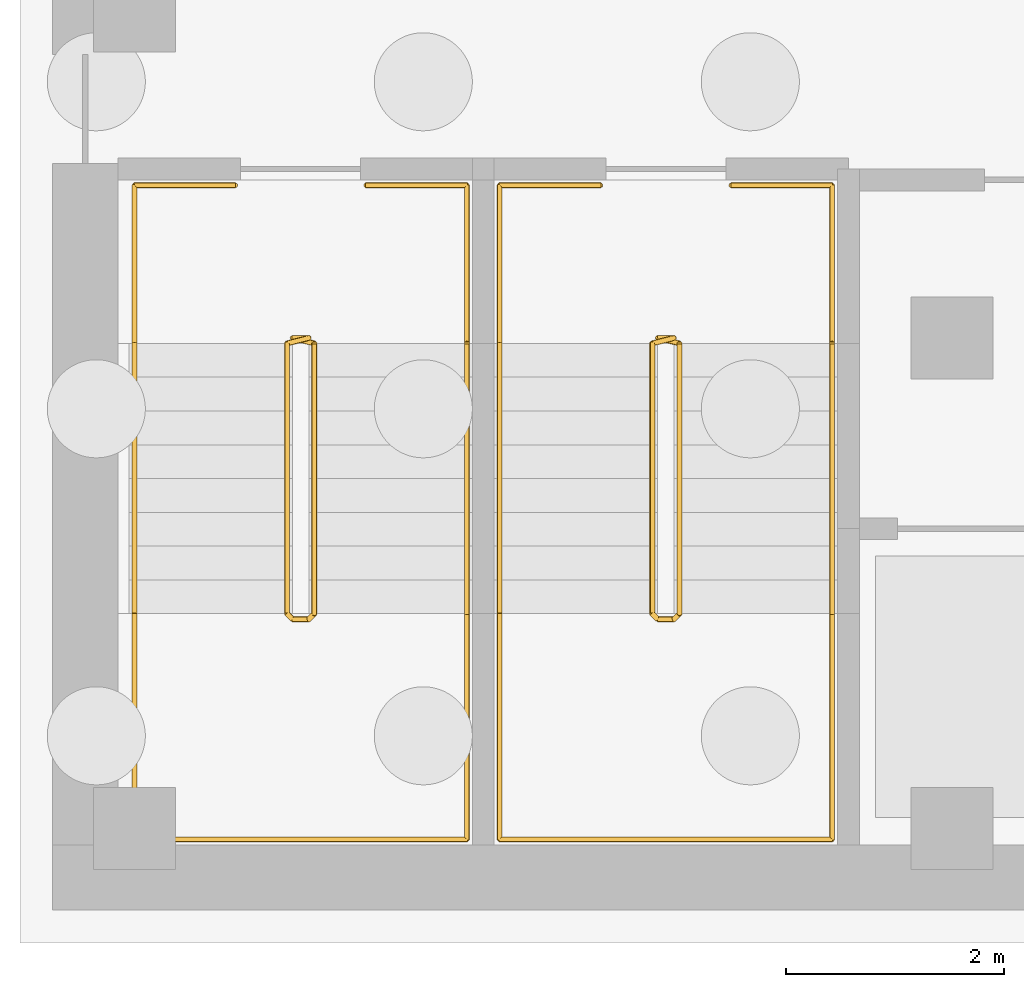
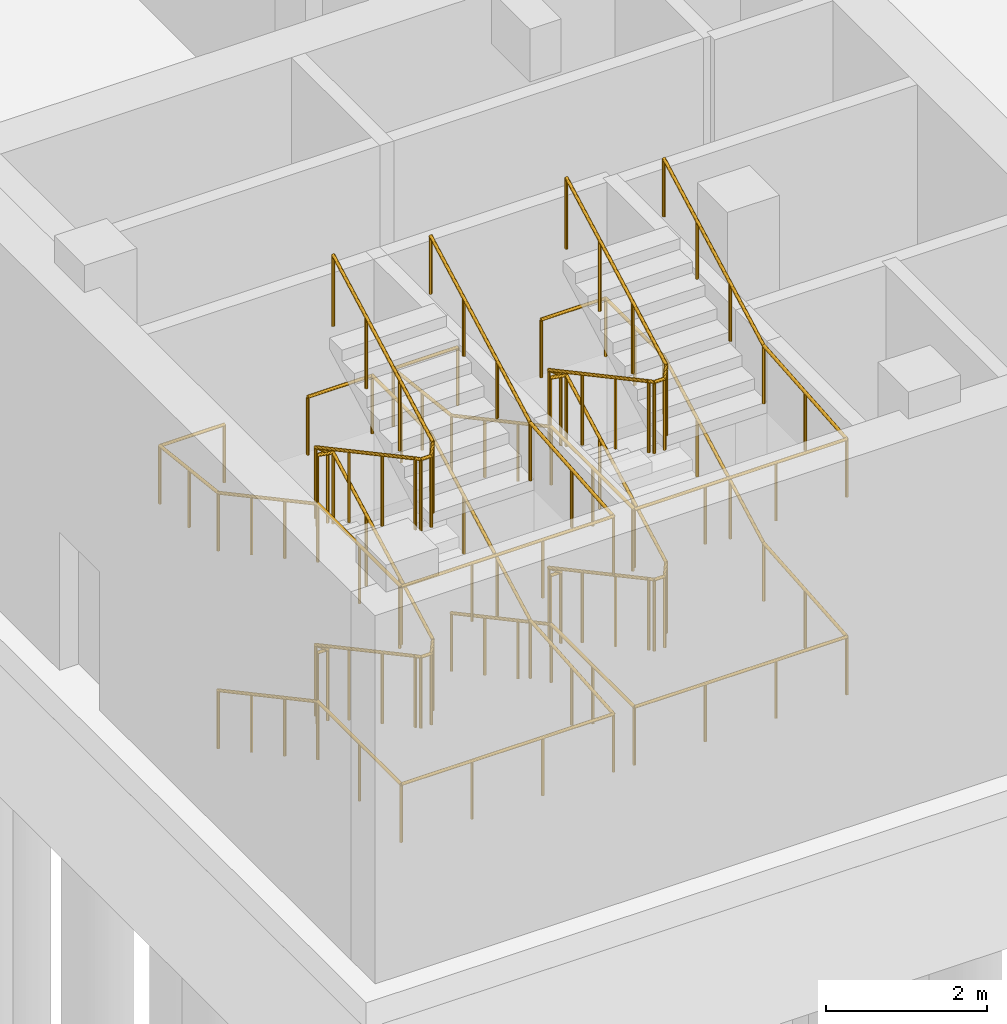
# One storey, part 18 of 26: 6 railings.
"""IFC4 building model written with IfcOpenShell, lengths in metres."""

from ifc_helpers import new_model, si_unit, direction, frame, origin, origin_2d, place, context, subcontext, project, spatial, circle, extrude, material, type_object, element, save


model = new_model("IFC4")

# Units and contexts
model_context = context("Model", 3, precision=1e-05, world=origin(), true_north=direction((0.0, 1.0)))
body_context = subcontext(model_context, "Body", "Model", "MODEL_VIEW")
ifc_project = project(units=[si_unit("LENGTHUNIT", "METRE"), si_unit("AREAUNIT", "SQUARE_METRE"), si_unit("VOLUMEUNIT", "CUBIC_METRE"), si_unit("PLANEANGLEUNIT", "RADIAN"), si_unit("MASSUNIT", "GRAM", prefix="KILO")], contexts=[model_context])

# Site, building, storey
site_placement = place(None, origin())
site = spatial("IfcSite", under=ifc_project, at=site_placement, CompositionType="ELEMENT")
building_placement = place(site_placement, origin())
building = spatial("IfcBuilding", under=site, at=building_placement, Name="Tessera Arch", CompositionType="ELEMENT")
storey_placement = place(building_placement, frame((0.0, 0.0, -6.0)))
storey = spatial("IfcBuildingStorey", under=building, at=storey_placement, Name="B1", CompositionType="ELEMENT", Elevation=-6.0)

# Railings
ifc_material_1 = material(Name="Painted steel balustrade", Category="steel")
railing_type_1 = type_object("IfcRailingType", Name="Stair guard 1100", PredefinedType="GUARDRAIL", material=ifc_material_1)
railing_1_placement = place(storey_placement, frame((-30.35009765625, -27.300048828125, 0.0)))
element("IfcRailing", 1, at=railing_1_placement, inside=storey, type_object=railing_type_1, Name="B1 M2a stair guard 1", PredefinedType="GUARDRAIL", context=body_context, shape_type="SweptSolid", body=[
    extrude(circle(Radius=0.02392578125, at=origin_2d()), frame((-0.00390625, 0.0, 1.076171875), z_axis=(1.0, 0.0, 0.0), x_axis=(0.0, 1.0, 0.0)), (0.0, 0.0, 1.0), 0.158203125),
    extrude(circle(Radius=0.02392578125, at=origin_2d()), frame((0.153076171875, 0.000732421875, 1.073486328125), z_axis=(-0.754182335027, -0.188775798145, 0.628945707965), x_axis=(0.242814311512, -0.970072785993, 0.0)), (0.0, 0.0, 1.0), 0.273193359375),
    extrude(circle(Radius=0.02392578125, at=origin_2d()), frame((-0.0498046875, -0.046630859375, 1.240966796875), z_axis=(0.0, -0.880785522881, 0.473515430248), x_axis=(1.0, 0.0, 0.0)), (0.0, 0.0, 1.0), 2.82373046875),
    extrude(circle(Radius=0.02392578125, at=origin_2d()), frame((-0.052734375, -2.527099609375, 2.576171875), z_axis=(0.707106781187, -0.707106781187, 0.0), x_axis=(0.707106781187, 0.707106781187, 0.0)), (0.0, 0.0, 1.0), 0.078369140625),
    extrude(circle(Radius=0.02392578125, at=origin_2d()), frame((-0.00390625, -2.579833984375, 2.576171875), z_axis=(1.0, 0.0, 0.0), x_axis=(0.0, 1.0, 0.0)), (0.0, 0.0, 1.0), 0.158203125),
    extrude(circle(Radius=0.02392578125, at=origin_2d()), frame((0.14892578125, -2.5810546875, 2.572265625), z_axis=(0.276389281352, 0.275041040955, 0.920848191041), x_axis=(-0.705375805398, 0.708833529934, 0.0)), (0.0, 0.0, 1.0), 0.18896484375),
    extrude(circle(Radius=0.02392578125, at=origin_2d()), frame((0.2001953125, -2.533447265625, 2.740966796875), z_axis=(0.0, 0.880785522881, 0.473515430248), x_axis=(-1.0, 0.0, 0.0)), (0.0, 0.0, 1.0), 2.82373046875),
    extrude(circle(Radius=0.02392578125, at=origin_2d()), frame((0.2041015625, -0.051025390625, 4.076171875), z_axis=(-0.970142500145, 0.242535625036, 0.0), x_axis=(-0.242535625036, -0.970142500145, 0.0)), (0.0, 0.0, 1.0), 0.21435546875),
    extrude(circle(Radius=0.02392578125, at=origin_2d()), frame((-0.00390625, 0.0, 4.076171875), z_axis=(1.0, 0.0, 0.0), x_axis=(0.0, 1.0, 0.0)), (0.0, 0.0, 1.0), 0.158203125),
    extrude(circle(Radius=0.02392578125, at=origin_2d()), frame((0.153076171875, 0.000732421875, 4.073486328125), z_axis=(-0.754182335027, -0.188775798145, 0.628945707965), x_axis=(0.242814311512, -0.970072785993, 0.0)), (0.0, 0.0, 1.0), 0.273193359375),
    extrude(circle(Radius=0.02392578125, at=origin_2d()), frame((-0.0498046875, -0.046630859375, 4.240966796875), z_axis=(0.0, -0.880785522881, 0.473515430248), x_axis=(1.0, 0.0, 0.0)), (0.0, 0.0, 1.0), 2.82373046875),
    extrude(circle(Radius=0.02392578125, at=origin_2d()), frame((-0.052734375, -2.527099609375, 5.576171875), z_axis=(0.707106781187, -0.707106781187, 0.0), x_axis=(0.707106781187, 0.707106781187, 0.0)), (0.0, 0.0, 1.0), 0.078369140625),
    extrude(circle(Radius=0.02392578125, at=origin_2d()), frame((-0.00390625, -2.579833984375, 5.576171875), z_axis=(1.0, 0.0, 0.0), x_axis=(0.0, 1.0, 0.0)), (0.0, 0.0, 1.0), 0.158203125),
    extrude(circle(Radius=0.02392578125, at=origin_2d()), frame((0.14892578125, -2.5810546875, 5.572265625), z_axis=(0.276389281352, 0.275041040955, 0.920848191041), x_axis=(-0.705375805398, 0.708833529934, 0.0)), (0.0, 0.0, 1.0), 0.18896484375),
    extrude(circle(Radius=0.02392578125, at=origin_2d()), frame((0.2001953125, -2.533447265625, 5.740966796875), z_axis=(0.0, 0.880785522881, 0.473515430248), x_axis=(-1.0, 0.0, 0.0)), (0.0, 0.0, 1.0), 2.82373046875),
    extrude(circle(Radius=0.02099609375, at=origin_2d()), origin(), (0.0, 0.0, 1.0), 1.06396484375),
    extrude(circle(Radius=0.02099609375, at=origin_2d()), frame((0.150146484375, 0.0, 0.0)), (0.0, 0.0, 1.0), 1.06396484375),
    extrude(circle(Radius=0.02099609375, at=origin_2d()), frame((-0.0498046875, -0.050048828125, 0.166748046875)), (0.0, 0.0, 1.0), 1.06396484375),
    extrude(circle(Radius=0.02099609375, at=origin_2d()), frame((-0.0498046875, -0.876708984375, 0.611083984375)), (0.0, 0.0, 1.0), 1.06396484375),
    extrude(circle(Radius=0.02099609375, at=origin_2d()), frame((-0.0498046875, -1.703369140625, 1.0556640625)), (0.0, 0.0, 1.0), 1.06396484375),
    extrude(circle(Radius=0.02099609375, at=origin_2d()), frame((-0.0498046875, -2.530029296875, 1.5)), (0.0, 0.0, 1.0), 1.06396484375),
    extrude(circle(Radius=0.02099609375, at=origin_2d()), frame((0.0, -2.579833984375, 1.5)), (0.0, 0.0, 1.0), 1.06396484375),
    extrude(circle(Radius=0.02099609375, at=origin_2d()), frame((0.150146484375, -2.579833984375, 1.5)), (0.0, 0.0, 1.0), 1.06396484375),
    extrude(circle(Radius=0.02099609375, at=origin_2d()), frame((0.2001953125, -2.530029296875, 1.666748046875)), (0.0, 0.0, 1.0), 1.06396484375),
    extrude(circle(Radius=0.02099609375, at=origin_2d()), frame((0.2001953125, -1.703369140625, 2.111083984375)), (0.0, 0.0, 1.0), 1.06396484375),
    extrude(circle(Radius=0.02099609375, at=origin_2d()), frame((0.2001953125, -0.876708984375, 2.5556640625)), (0.0, 0.0, 1.0), 1.06396484375),
    extrude(circle(Radius=0.02099609375, at=origin_2d()), frame((0.2001953125, -0.050048828125, 3.0)), (0.0, 0.0, 1.0), 1.06396484375),
    extrude(circle(Radius=0.02099609375, at=origin_2d()), frame((0.0, 0.0, 3.0)), (0.0, 0.0, 1.0), 1.06396484375),
    extrude(circle(Radius=0.02099609375, at=origin_2d()), frame((0.150146484375, 0.0, 3.0)), (0.0, 0.0, 1.0), 1.06396484375),
    extrude(circle(Radius=0.02099609375, at=origin_2d()), frame((-0.0498046875, -0.050048828125, 3.166748046875)), (0.0, 0.0, 1.0), 1.06396484375),
    extrude(circle(Radius=0.02099609375, at=origin_2d()), frame((-0.0498046875, -0.876708984375, 3.611083984375)), (0.0, 0.0, 1.0), 1.06396484375),
    extrude(circle(Radius=0.02099609375, at=origin_2d()), frame((-0.0498046875, -1.703369140625, 4.0556640625)), (0.0, 0.0, 1.0), 1.06396484375),
    extrude(circle(Radius=0.02099609375, at=origin_2d()), frame((-0.0498046875, -2.530029296875, 4.5)), (0.0, 0.0, 1.0), 1.06396484375),
    extrude(circle(Radius=0.02099609375, at=origin_2d()), frame((0.0, -2.579833984375, 4.5)), (0.0, 0.0, 1.0), 1.06396484375),
    extrude(circle(Radius=0.02099609375, at=origin_2d()), frame((0.150146484375, -2.579833984375, 4.5)), (0.0, 0.0, 1.0), 1.06396484375),
    extrude(circle(Radius=0.02099609375, at=origin_2d()), frame((0.2001953125, -2.530029296875, 4.666748046875)), (0.0, 0.0, 1.0), 1.06396484375),
    extrude(circle(Radius=0.02099609375, at=origin_2d()), frame((0.2001953125, -1.703369140625, 5.111083984375)), (0.0, 0.0, 1.0), 1.06396484375),
    extrude(circle(Radius=0.02099609375, at=origin_2d()), frame((0.2001953125, -0.876708984375, 5.5556640625)), (0.0, 0.0, 1.0), 1.06396484375),
    extrude(circle(Radius=0.02099609375, at=origin_2d()), frame((0.2001953125, -0.050048828125, 6.0)), (0.0, 0.0, 1.0), 1.06396484375),
])
railing_2_placement = place(storey_placement, frame((-27.0, -27.300048828125, 0.0)))
element("IfcRailing", 2, at=railing_2_placement, inside=storey, type_object=railing_type_1, Name="B1 M2b stair guard 1", PredefinedType="GUARDRAIL", context=body_context, shape_type="SweptSolid", body=[
    extrude(circle(Radius=0.02392578125, at=origin_2d()), frame((-0.00390625, 0.0, 1.076171875), z_axis=(1.0, 0.0, 0.0), x_axis=(0.0, 1.0, 0.0)), (0.0, 0.0, 1.0), 0.157958984375),
    extrude(circle(Radius=0.02392578125, at=origin_2d()), frame((0.15283203125, 0.000732421875, 1.073486328125), z_axis=(-0.754182335027, -0.188775798145, 0.628945707965), x_axis=(0.242814311512, -0.970072785993, 0.0)), (0.0, 0.0, 1.0), 0.273193359375),
    extrude(circle(Radius=0.02392578125, at=origin_2d()), frame((-0.050048828125, -0.046630859375, 1.240966796875), z_axis=(0.0, -0.880785522881, 0.473515430248), x_axis=(1.0, 0.0, 0.0)), (0.0, 0.0, 1.0), 2.82373046875),
    extrude(circle(Radius=0.02392578125, at=origin_2d()), frame((-0.052978515625, -2.527099609375, 2.576171875), z_axis=(0.708833529934, -0.705375805398, 0.0), x_axis=(0.705375805398, 0.708833529934, 0.0)), (0.0, 0.0, 1.0), 0.07861328125),
    extrude(circle(Radius=0.02392578125, at=origin_2d()), frame((-0.00390625, -2.579833984375, 2.576171875), z_axis=(1.0, 0.0, 0.0), x_axis=(0.0, 1.0, 0.0)), (0.0, 0.0, 1.0), 0.157958984375),
    extrude(circle(Radius=0.02392578125, at=origin_2d()), frame((0.148681640625, -2.5810546875, 2.572265625), z_axis=(0.276389281352, 0.275041040955, 0.920848191041), x_axis=(-0.705375805398, 0.708833529934, 0.0)), (0.0, 0.0, 1.0), 0.18896484375),
    extrude(circle(Radius=0.02392578125, at=origin_2d()), frame((0.199951171875, -2.533447265625, 2.740966796875), z_axis=(0.0, 0.880785522881, 0.473515430248), x_axis=(-1.0, 0.0, 0.0)), (0.0, 0.0, 1.0), 2.82373046875),
    extrude(circle(Radius=0.02392578125, at=origin_2d()), frame((0.203857421875, -0.051025390625, 4.076171875), z_axis=(-0.970072785993, 0.242814311512, 0.0), x_axis=(-0.242814311512, -0.970072785993, 0.0)), (0.0, 0.0, 1.0), 0.214111328125),
    extrude(circle(Radius=0.02392578125, at=origin_2d()), frame((-0.00390625, 0.0, 4.076171875), z_axis=(1.0, 0.0, 0.0), x_axis=(0.0, 1.0, 0.0)), (0.0, 0.0, 1.0), 0.157958984375),
    extrude(circle(Radius=0.02392578125, at=origin_2d()), frame((0.15283203125, 0.000732421875, 4.073486328125), z_axis=(-0.754182335027, -0.188775798145, 0.628945707965), x_axis=(0.242814311512, -0.970072785993, 0.0)), (0.0, 0.0, 1.0), 0.273193359375),
    extrude(circle(Radius=0.02392578125, at=origin_2d()), frame((-0.050048828125, -0.046630859375, 4.240966796875), z_axis=(0.0, -0.880785522881, 0.473515430248), x_axis=(1.0, 0.0, 0.0)), (0.0, 0.0, 1.0), 2.82373046875),
    extrude(circle(Radius=0.02392578125, at=origin_2d()), frame((-0.052978515625, -2.527099609375, 5.576171875), z_axis=(0.708833529934, -0.705375805398, 0.0), x_axis=(0.705375805398, 0.708833529934, 0.0)), (0.0, 0.0, 1.0), 0.07861328125),
    extrude(circle(Radius=0.02392578125, at=origin_2d()), frame((-0.00390625, -2.579833984375, 5.576171875), z_axis=(1.0, 0.0, 0.0), x_axis=(0.0, 1.0, 0.0)), (0.0, 0.0, 1.0), 0.157958984375),
    extrude(circle(Radius=0.02392578125, at=origin_2d()), frame((0.148681640625, -2.5810546875, 5.572265625), z_axis=(0.276389281352, 0.275041040955, 0.920848191041), x_axis=(-0.705375805398, 0.708833529934, 0.0)), (0.0, 0.0, 1.0), 0.18896484375),
    extrude(circle(Radius=0.02392578125, at=origin_2d()), frame((0.199951171875, -2.533447265625, 5.740966796875), z_axis=(0.0, 0.880785522881, 0.473515430248), x_axis=(-1.0, 0.0, 0.0)), (0.0, 0.0, 1.0), 2.82373046875),
    extrude(circle(Radius=0.02099609375, at=origin_2d()), origin(), (0.0, 0.0, 1.0), 1.06396484375),
    extrude(circle(Radius=0.02099609375, at=origin_2d()), frame((0.14990234375, 0.0, 0.0)), (0.0, 0.0, 1.0), 1.06396484375),
    extrude(circle(Radius=0.02099609375, at=origin_2d()), frame((-0.050048828125, -0.050048828125, 0.166748046875)), (0.0, 0.0, 1.0), 1.06396484375),
    extrude(circle(Radius=0.02099609375, at=origin_2d()), frame((-0.050048828125, -0.876708984375, 0.611083984375)), (0.0, 0.0, 1.0), 1.06396484375),
    extrude(circle(Radius=0.02099609375, at=origin_2d()), frame((-0.050048828125, -1.703369140625, 1.0556640625)), (0.0, 0.0, 1.0), 1.06396484375),
    extrude(circle(Radius=0.02099609375, at=origin_2d()), frame((-0.050048828125, -2.530029296875, 1.5)), (0.0, 0.0, 1.0), 1.06396484375),
    extrude(circle(Radius=0.02099609375, at=origin_2d()), frame((0.0, -2.579833984375, 1.5)), (0.0, 0.0, 1.0), 1.06396484375),
    extrude(circle(Radius=0.02099609375, at=origin_2d()), frame((0.14990234375, -2.579833984375, 1.5)), (0.0, 0.0, 1.0), 1.06396484375),
    extrude(circle(Radius=0.02099609375, at=origin_2d()), frame((0.199951171875, -2.530029296875, 1.666748046875)), (0.0, 0.0, 1.0), 1.06396484375),
    extrude(circle(Radius=0.02099609375, at=origin_2d()), frame((0.199951171875, -1.703369140625, 2.111083984375)), (0.0, 0.0, 1.0), 1.06396484375),
    extrude(circle(Radius=0.02099609375, at=origin_2d()), frame((0.199951171875, -0.876708984375, 2.5556640625)), (0.0, 0.0, 1.0), 1.06396484375),
    extrude(circle(Radius=0.02099609375, at=origin_2d()), frame((0.199951171875, -0.050048828125, 3.0)), (0.0, 0.0, 1.0), 1.06396484375),
    extrude(circle(Radius=0.02099609375, at=origin_2d()), frame((0.0, 0.0, 3.0)), (0.0, 0.0, 1.0), 1.06396484375),
    extrude(circle(Radius=0.02099609375, at=origin_2d()), frame((0.14990234375, 0.0, 3.0)), (0.0, 0.0, 1.0), 1.06396484375),
    extrude(circle(Radius=0.02099609375, at=origin_2d()), frame((-0.050048828125, -0.050048828125, 3.166748046875)), (0.0, 0.0, 1.0), 1.06396484375),
    extrude(circle(Radius=0.02099609375, at=origin_2d()), frame((-0.050048828125, -0.876708984375, 3.611083984375)), (0.0, 0.0, 1.0), 1.06396484375),
    extrude(circle(Radius=0.02099609375, at=origin_2d()), frame((-0.050048828125, -1.703369140625, 4.0556640625)), (0.0, 0.0, 1.0), 1.06396484375),
    extrude(circle(Radius=0.02099609375, at=origin_2d()), frame((-0.050048828125, -2.530029296875, 4.5)), (0.0, 0.0, 1.0), 1.06396484375),
    extrude(circle(Radius=0.02099609375, at=origin_2d()), frame((0.0, -2.579833984375, 4.5)), (0.0, 0.0, 1.0), 1.06396484375),
    extrude(circle(Radius=0.02099609375, at=origin_2d()), frame((0.14990234375, -2.579833984375, 4.5)), (0.0, 0.0, 1.0), 1.06396484375),
    extrude(circle(Radius=0.02099609375, at=origin_2d()), frame((0.199951171875, -2.530029296875, 4.666748046875)), (0.0, 0.0, 1.0), 1.06396484375),
    extrude(circle(Radius=0.02099609375, at=origin_2d()), frame((0.199951171875, -1.703369140625, 5.111083984375)), (0.0, 0.0, 1.0), 1.06396484375),
    extrude(circle(Radius=0.02099609375, at=origin_2d()), frame((0.199951171875, -0.876708984375, 5.5556640625)), (0.0, 0.0, 1.0), 1.06396484375),
    extrude(circle(Radius=0.02099609375, at=origin_2d()), frame((0.199951171875, -0.050048828125, 6.0)), (0.0, 0.0, 1.0), 1.06396484375),
])
ifc_material_2 = material(Name="Painted steel handrail", Category="steel")
railing_type_2 = type_object("IfcRailingType", Name="Stair handrail 900", PredefinedType="HANDRAIL", material=ifc_material_2)
railing_3_placement = place(storey_placement, frame((-31.800048828125, -27.35009765625, 0.166748046875)))
element("IfcRailing", 3, at=railing_3_placement, inside=storey, type_object=railing_type_2, Name="B1 M2a stair handrail", PredefinedType="HANDRAIL", context=body_context, shape_type="SweptSolid", body=[
    extrude(circle(Radius=0.02392578125, at=origin_2d()), frame((0.0, 0.00341796875, 0.8740234375), z_axis=(0.0, -0.880785522881, 0.473515430248), x_axis=(1.0, 0.0, 0.0)), (0.0, 0.0, 1.0), 2.82373046875),
    extrude(circle(Radius=0.02392578125, at=origin_2d()), frame((0.0, -2.47607421875, 2.208984375), z_axis=(0.0, -1.0, 0.0), x_axis=(1.0, 0.0, 0.0)), (0.0, 0.0, 1.0), 2.077880859375),
    extrude(circle(Radius=0.02392578125, at=origin_2d()), frame((-0.00390625, -4.5498046875, 2.208984375), z_axis=(1.0, 0.0, 0.0), x_axis=(0.0, 1.0, 0.0)), (0.0, 0.0, 1.0), 3.05810546875),
    extrude(circle(Radius=0.02392578125, at=origin_2d()), frame((3.050048828125, -4.5537109375, 2.208740234375), z_axis=(0.0, 0.99677063694, 0.080301290992), x_axis=(-1.0, 0.0, 0.0)), (0.0, 0.0, 1.0), 2.08447265625),
    extrude(circle(Radius=0.02392578125, at=origin_2d()), frame((3.050048828125, -2.4833984375, 2.3740234375), z_axis=(0.0, 0.880785522881, 0.473515430248), x_axis=(-1.0, 0.0, 0.0)), (0.0, 0.0, 1.0), 2.82373046875),
    extrude(circle(Radius=0.02392578125, at=origin_2d()), frame((3.050048828125, -0.00390625, 3.708984375), z_axis=(0.0, 1.0, 0.0), x_axis=(-1.0, 0.0, 0.0)), (0.0, 0.0, 1.0), 1.458251953125),
    extrude(circle(Radius=0.02392578125, at=origin_2d()), frame((3.053955078125, 1.4501953125, 3.708984375), z_axis=(-1.0, 0.0, 0.0), x_axis=(0.0, -1.0, 0.0)), (0.0, 0.0, 1.0), 0.93310546875),
    extrude(circle(Radius=0.02099609375, at=origin_2d()), origin(), (0.0, 0.0, 1.0), 0.86376953125),
    extrude(circle(Radius=0.02099609375, at=origin_2d()), frame((0.0, -0.82666015625, 0.4443359375)), (0.0, 0.0, 1.0), 0.86376953125),
    extrude(circle(Radius=0.02099609375, at=origin_2d()), frame((0.0, -1.6533203125, 0.888916015625)), (0.0, 0.0, 1.0), 0.86376953125),
    extrude(circle(Radius=0.02099609375, at=origin_2d()), frame((0.0, -2.47998046875, 1.333251953125)), (0.0, 0.0, 1.0), 0.86376953125),
    extrude(circle(Radius=0.02099609375, at=origin_2d()), frame((0.0, -3.514892578125, 1.333251953125)), (0.0, 0.0, 1.0), 0.86376953125),
    extrude(circle(Radius=0.02099609375, at=origin_2d()), frame((0.0, -4.5498046875, 1.333251953125)), (0.0, 0.0, 1.0), 0.86376953125),
    extrude(circle(Radius=0.02099609375, at=origin_2d()), frame((1.0166015625, -4.5498046875, 1.333251953125)), (0.0, 0.0, 1.0), 0.86376953125),
    extrude(circle(Radius=0.02099609375, at=origin_2d()), frame((2.033447265625, -4.5498046875, 1.333251953125)), (0.0, 0.0, 1.0), 0.86376953125),
    extrude(circle(Radius=0.02099609375, at=origin_2d()), frame((3.050048828125, -4.5498046875, 1.333251953125)), (0.0, 0.0, 1.0), 0.86376953125),
    extrude(circle(Radius=0.02099609375, at=origin_2d()), frame((3.050048828125, -3.514892578125, 1.41650390625)), (0.0, 0.0, 1.0), 0.86376953125),
    extrude(circle(Radius=0.02099609375, at=origin_2d()), frame((3.050048828125, -2.47998046875, 1.5)), (0.0, 0.0, 1.0), 0.86376953125),
    extrude(circle(Radius=0.02099609375, at=origin_2d()), frame((3.050048828125, -1.6533203125, 1.9443359375)), (0.0, 0.0, 1.0), 0.86376953125),
    extrude(circle(Radius=0.02099609375, at=origin_2d()), frame((3.050048828125, -0.82666015625, 2.388916015625)), (0.0, 0.0, 1.0), 0.86376953125),
    extrude(circle(Radius=0.02099609375, at=origin_2d()), frame((3.050048828125, 0.0, 2.833251953125)), (0.0, 0.0, 1.0), 0.86376953125),
    extrude(circle(Radius=0.02099609375, at=origin_2d()), frame((3.050048828125, 0.72509765625, 2.833251953125)), (0.0, 0.0, 1.0), 0.86376953125),
    extrude(circle(Radius=0.02099609375, at=origin_2d()), frame((3.050048828125, 1.4501953125, 2.833251953125)), (0.0, 0.0, 1.0), 0.86376953125),
    extrude(circle(Radius=0.02099609375, at=origin_2d()), frame((2.125, 1.4501953125, 2.833251953125)), (0.0, 0.0, 1.0), 0.86376953125),
])
railing_4_placement = place(storey_placement, frame((-30.875, -25.89990234375, 3.0)))
element("IfcRailing", 4, at=railing_4_placement, inside=storey, type_object=railing_type_2, Name="B1 M2a stair handrail 2", PredefinedType="HANDRAIL", context=body_context, shape_type="SweptSolid", body=[
    extrude(circle(Radius=0.02392578125, at=origin_2d()), frame((0.00390625, 0.0, 0.8759765625), z_axis=(-1.0, 0.0, 0.0), x_axis=(0.0, -1.0, 0.0)), (0.0, 0.0, 1.0), 0.93310546875),
    extrude(circle(Radius=0.02392578125, at=origin_2d()), frame((-0.925048828125, 0.00390625, 0.87548828125), z_axis=(0.0, -0.993454271282, 0.114230516378), x_axis=(1.0, 0.0, 0.0)), (0.0, 0.0, 1.0), 1.4677734375),
    extrude(circle(Radius=0.02392578125, at=origin_2d()), frame((-0.925048828125, -1.44677734375, 1.040771484375), z_axis=(0.0, -0.880785522881, 0.473515430248), x_axis=(1.0, 0.0, 0.0)), (0.0, 0.0, 1.0), 2.82373046875),
    extrude(circle(Radius=0.02392578125, at=origin_2d()), frame((-0.925048828125, -3.92626953125, 2.3759765625), z_axis=(0.0, -1.0, 0.0), x_axis=(1.0, 0.0, 0.0)), (0.0, 0.0, 1.0), 2.077880859375),
    extrude(circle(Radius=0.02392578125, at=origin_2d()), frame((-0.928955078125, -6.0, 2.3759765625), z_axis=(1.0, 0.0, 0.0), x_axis=(0.0, 1.0, 0.0)), (0.0, 0.0, 1.0), 3.05810546875),
    extrude(circle(Radius=0.02392578125, at=origin_2d()), frame((2.125, -6.00390625, 2.37548828125), z_axis=(0.0, 0.99677063694, 0.080301290992), x_axis=(-1.0, 0.0, 0.0)), (0.0, 0.0, 1.0), 2.08447265625),
    extrude(circle(Radius=0.02392578125, at=origin_2d()), frame((2.125, -3.93359375, 2.540771484375), z_axis=(0.0, 0.880785522881, 0.473515430248), x_axis=(-1.0, 0.0, 0.0)), (0.0, 0.0, 1.0), 2.82373046875),
    extrude(circle(Radius=0.02099609375, at=origin_2d()), origin(), (0.0, 0.0, 1.0), 0.86376953125),
    extrude(circle(Radius=0.02099609375, at=origin_2d()), frame((-0.925048828125, 0.0, 0.0)), (0.0, 0.0, 1.0), 0.86376953125),
    extrude(circle(Radius=0.02099609375, at=origin_2d()), frame((-0.925048828125, -0.72509765625, 0.08349609375)), (0.0, 0.0, 1.0), 0.86376953125),
    extrude(circle(Radius=0.02099609375, at=origin_2d()), frame((-0.925048828125, -1.4501953125, 0.166748046875)), (0.0, 0.0, 1.0), 0.86376953125),
    extrude(circle(Radius=0.02099609375, at=origin_2d()), frame((-0.925048828125, -2.27685546875, 0.611083984375)), (0.0, 0.0, 1.0), 0.86376953125),
    extrude(circle(Radius=0.02099609375, at=origin_2d()), frame((-0.925048828125, -3.103515625, 1.0556640625)), (0.0, 0.0, 1.0), 0.86376953125),
    extrude(circle(Radius=0.02099609375, at=origin_2d()), frame((-0.925048828125, -3.93017578125, 1.5)), (0.0, 0.0, 1.0), 0.86376953125),
    extrude(circle(Radius=0.02099609375, at=origin_2d()), frame((-0.925048828125, -4.965087890625, 1.5)), (0.0, 0.0, 1.0), 0.86376953125),
    extrude(circle(Radius=0.02099609375, at=origin_2d()), frame((-0.925048828125, -6.0, 1.5)), (0.0, 0.0, 1.0), 0.86376953125),
    extrude(circle(Radius=0.02099609375, at=origin_2d()), frame((0.091552734375, -6.0, 1.5)), (0.0, 0.0, 1.0), 0.86376953125),
    extrude(circle(Radius=0.02099609375, at=origin_2d()), frame((1.1083984375, -6.0, 1.5)), (0.0, 0.0, 1.0), 0.86376953125),
    extrude(circle(Radius=0.02099609375, at=origin_2d()), frame((2.125, -6.0, 1.5)), (0.0, 0.0, 1.0), 0.86376953125),
    extrude(circle(Radius=0.02099609375, at=origin_2d()), frame((2.125, -4.965087890625, 1.58349609375)), (0.0, 0.0, 1.0), 0.86376953125),
    extrude(circle(Radius=0.02099609375, at=origin_2d()), frame((2.125, -3.93017578125, 1.666748046875)), (0.0, 0.0, 1.0), 0.86376953125),
    extrude(circle(Radius=0.02099609375, at=origin_2d()), frame((2.125, -3.103515625, 2.111083984375)), (0.0, 0.0, 1.0), 0.86376953125),
    extrude(circle(Radius=0.02099609375, at=origin_2d()), frame((2.125, -2.27685546875, 2.5556640625)), (0.0, 0.0, 1.0), 0.86376953125),
    extrude(circle(Radius=0.02099609375, at=origin_2d()), frame((2.125, -1.4501953125, 3.0)), (0.0, 0.0, 1.0), 0.86376953125),
])
railing_5_placement = place(storey_placement, frame((-28.449951171875, -27.35009765625, 0.166748046875)))
element("IfcRailing", 5, at=railing_5_placement, inside=storey, type_object=railing_type_2, Name="B1 M2b stair handrail", PredefinedType="HANDRAIL", context=body_context, shape_type="SweptSolid", body=[
    extrude(circle(Radius=0.02392578125, at=origin_2d()), frame((0.0, 0.00341796875, 0.8740234375), z_axis=(0.0, -0.880785522881, 0.473515430248), x_axis=(1.0, 0.0, 0.0)), (0.0, 0.0, 1.0), 2.82373046875),
    extrude(circle(Radius=0.02392578125, at=origin_2d()), frame((0.0, -2.47607421875, 2.208984375), z_axis=(0.0, -1.0, 0.0), x_axis=(1.0, 0.0, 0.0)), (0.0, 0.0, 1.0), 2.077880859375),
    extrude(circle(Radius=0.02392578125, at=origin_2d()), frame((-0.00390625, -4.5498046875, 2.208984375), z_axis=(1.0, 0.0, 0.0), x_axis=(0.0, 1.0, 0.0)), (0.0, 0.0, 1.0), 3.05810546875),
    extrude(circle(Radius=0.02392578125, at=origin_2d()), frame((3.050048828125, -4.5537109375, 2.208740234375), z_axis=(0.0, 0.99677063694, 0.080301290992), x_axis=(-1.0, 0.0, 0.0)), (0.0, 0.0, 1.0), 2.08447265625),
    extrude(circle(Radius=0.02392578125, at=origin_2d()), frame((3.050048828125, -2.4833984375, 2.3740234375), z_axis=(0.0, 0.880785522881, 0.473515430248), x_axis=(-1.0, 0.0, 0.0)), (0.0, 0.0, 1.0), 2.82373046875),
    extrude(circle(Radius=0.02392578125, at=origin_2d()), frame((3.050048828125, -0.00390625, 3.708984375), z_axis=(0.0, 1.0, 0.0), x_axis=(-1.0, 0.0, 0.0)), (0.0, 0.0, 1.0), 1.458251953125),
    extrude(circle(Radius=0.02392578125, at=origin_2d()), frame((3.053955078125, 1.4501953125, 3.708984375), z_axis=(-1.0, 0.0, 0.0), x_axis=(0.0, -1.0, 0.0)), (0.0, 0.0, 1.0), 0.93310546875),
    extrude(circle(Radius=0.02099609375, at=origin_2d()), origin(), (0.0, 0.0, 1.0), 0.86376953125),
    extrude(circle(Radius=0.02099609375, at=origin_2d()), frame((0.0, -0.82666015625, 0.4443359375)), (0.0, 0.0, 1.0), 0.86376953125),
    extrude(circle(Radius=0.02099609375, at=origin_2d()), frame((0.0, -1.6533203125, 0.888916015625)), (0.0, 0.0, 1.0), 0.86376953125),
    extrude(circle(Radius=0.02099609375, at=origin_2d()), frame((0.0, -2.47998046875, 1.333251953125)), (0.0, 0.0, 1.0), 0.86376953125),
    extrude(circle(Radius=0.02099609375, at=origin_2d()), frame((0.0, -3.514892578125, 1.333251953125)), (0.0, 0.0, 1.0), 0.86376953125),
    extrude(circle(Radius=0.02099609375, at=origin_2d()), frame((0.0, -4.5498046875, 1.333251953125)), (0.0, 0.0, 1.0), 0.86376953125),
    extrude(circle(Radius=0.02099609375, at=origin_2d()), frame((1.0166015625, -4.5498046875, 1.333251953125)), (0.0, 0.0, 1.0), 0.86376953125),
    extrude(circle(Radius=0.02099609375, at=origin_2d()), frame((2.033447265625, -4.5498046875, 1.333251953125)), (0.0, 0.0, 1.0), 0.86376953125),
    extrude(circle(Radius=0.02099609375, at=origin_2d()), frame((3.050048828125, -4.5498046875, 1.333251953125)), (0.0, 0.0, 1.0), 0.86376953125),
    extrude(circle(Radius=0.02099609375, at=origin_2d()), frame((3.050048828125, -3.514892578125, 1.41650390625)), (0.0, 0.0, 1.0), 0.86376953125),
    extrude(circle(Radius=0.02099609375, at=origin_2d()), frame((3.050048828125, -2.47998046875, 1.5)), (0.0, 0.0, 1.0), 0.86376953125),
    extrude(circle(Radius=0.02099609375, at=origin_2d()), frame((3.050048828125, -1.6533203125, 1.9443359375)), (0.0, 0.0, 1.0), 0.86376953125),
    extrude(circle(Radius=0.02099609375, at=origin_2d()), frame((3.050048828125, -0.82666015625, 2.388916015625)), (0.0, 0.0, 1.0), 0.86376953125),
    extrude(circle(Radius=0.02099609375, at=origin_2d()), frame((3.050048828125, 0.0, 2.833251953125)), (0.0, 0.0, 1.0), 0.86376953125),
    extrude(circle(Radius=0.02099609375, at=origin_2d()), frame((3.050048828125, 0.72509765625, 2.833251953125)), (0.0, 0.0, 1.0), 0.86376953125),
    extrude(circle(Radius=0.02099609375, at=origin_2d()), frame((3.050048828125, 1.4501953125, 2.833251953125)), (0.0, 0.0, 1.0), 0.86376953125),
    extrude(circle(Radius=0.02099609375, at=origin_2d()), frame((2.125, 1.4501953125, 2.833251953125)), (0.0, 0.0, 1.0), 0.86376953125),
])
railing_6_placement = place(storey_placement, frame((-27.52490234375, -25.89990234375, 3.0)))
element("IfcRailing", 6, at=railing_6_placement, inside=storey, type_object=railing_type_2, Name="B1 M2b stair handrail 2", PredefinedType="HANDRAIL", context=body_context, shape_type="SweptSolid", body=[
    extrude(circle(Radius=0.02392578125, at=origin_2d()), frame((0.00390625, 0.0, 0.8759765625), z_axis=(-1.0, 0.0, 0.0), x_axis=(0.0, -1.0, 0.0)), (0.0, 0.0, 1.0), 0.93310546875),
    extrude(circle(Radius=0.02392578125, at=origin_2d()), frame((-0.925048828125, 0.00390625, 0.87548828125), z_axis=(0.0, -0.993454271282, 0.114230516378), x_axis=(1.0, 0.0, 0.0)), (0.0, 0.0, 1.0), 1.4677734375),
    extrude(circle(Radius=0.02392578125, at=origin_2d()), frame((-0.925048828125, -1.44677734375, 1.040771484375), z_axis=(0.0, -0.880785522881, 0.473515430248), x_axis=(1.0, 0.0, 0.0)), (0.0, 0.0, 1.0), 2.82373046875),
    extrude(circle(Radius=0.02392578125, at=origin_2d()), frame((-0.925048828125, -3.92626953125, 2.3759765625), z_axis=(0.0, -1.0, 0.0), x_axis=(1.0, 0.0, 0.0)), (0.0, 0.0, 1.0), 2.077880859375),
    extrude(circle(Radius=0.02392578125, at=origin_2d()), frame((-0.928955078125, -6.0, 2.3759765625), z_axis=(1.0, 0.0, 0.0), x_axis=(0.0, 1.0, 0.0)), (0.0, 0.0, 1.0), 3.05810546875),
    extrude(circle(Radius=0.02392578125, at=origin_2d()), frame((2.125, -6.00390625, 2.37548828125), z_axis=(0.0, 0.99677063694, 0.080301290992), x_axis=(-1.0, 0.0, 0.0)), (0.0, 0.0, 1.0), 2.08447265625),
    extrude(circle(Radius=0.02392578125, at=origin_2d()), frame((2.125, -3.93359375, 2.540771484375), z_axis=(0.0, 0.880785522881, 0.473515430248), x_axis=(-1.0, 0.0, 0.0)), (0.0, 0.0, 1.0), 2.82373046875),
    extrude(circle(Radius=0.02099609375, at=origin_2d()), origin(), (0.0, 0.0, 1.0), 0.86376953125),
    extrude(circle(Radius=0.02099609375, at=origin_2d()), frame((-0.925048828125, 0.0, 0.0)), (0.0, 0.0, 1.0), 0.86376953125),
    extrude(circle(Radius=0.02099609375, at=origin_2d()), frame((-0.925048828125, -0.72509765625, 0.08349609375)), (0.0, 0.0, 1.0), 0.86376953125),
    extrude(circle(Radius=0.02099609375, at=origin_2d()), frame((-0.925048828125, -1.4501953125, 0.166748046875)), (0.0, 0.0, 1.0), 0.86376953125),
    extrude(circle(Radius=0.02099609375, at=origin_2d()), frame((-0.925048828125, -2.27685546875, 0.611083984375)), (0.0, 0.0, 1.0), 0.86376953125),
    extrude(circle(Radius=0.02099609375, at=origin_2d()), frame((-0.925048828125, -3.103515625, 1.0556640625)), (0.0, 0.0, 1.0), 0.86376953125),
    extrude(circle(Radius=0.02099609375, at=origin_2d()), frame((-0.925048828125, -3.93017578125, 1.5)), (0.0, 0.0, 1.0), 0.86376953125),
    extrude(circle(Radius=0.02099609375, at=origin_2d()), frame((-0.925048828125, -4.965087890625, 1.5)), (0.0, 0.0, 1.0), 0.86376953125),
    extrude(circle(Radius=0.02099609375, at=origin_2d()), frame((-0.925048828125, -6.0, 1.5)), (0.0, 0.0, 1.0), 0.86376953125),
    extrude(circle(Radius=0.02099609375, at=origin_2d()), frame((0.091552734375, -6.0, 1.5)), (0.0, 0.0, 1.0), 0.86376953125),
    extrude(circle(Radius=0.02099609375, at=origin_2d()), frame((1.1083984375, -6.0, 1.5)), (0.0, 0.0, 1.0), 0.86376953125),
    extrude(circle(Radius=0.02099609375, at=origin_2d()), frame((2.125, -6.0, 1.5)), (0.0, 0.0, 1.0), 0.86376953125),
    extrude(circle(Radius=0.02099609375, at=origin_2d()), frame((2.125, -4.965087890625, 1.58349609375)), (0.0, 0.0, 1.0), 0.86376953125),
    extrude(circle(Radius=0.02099609375, at=origin_2d()), frame((2.125, -3.93017578125, 1.666748046875)), (0.0, 0.0, 1.0), 0.86376953125),
    extrude(circle(Radius=0.02099609375, at=origin_2d()), frame((2.125, -3.103515625, 2.111083984375)), (0.0, 0.0, 1.0), 0.86376953125),
    extrude(circle(Radius=0.02099609375, at=origin_2d()), frame((2.125, -2.27685546875, 2.5556640625)), (0.0, 0.0, 1.0), 0.86376953125),
    extrude(circle(Radius=0.02099609375, at=origin_2d()), frame((2.125, -1.4501953125, 3.0)), (0.0, 0.0, 1.0), 0.86376953125),
])

save(model, "model.ifc")
